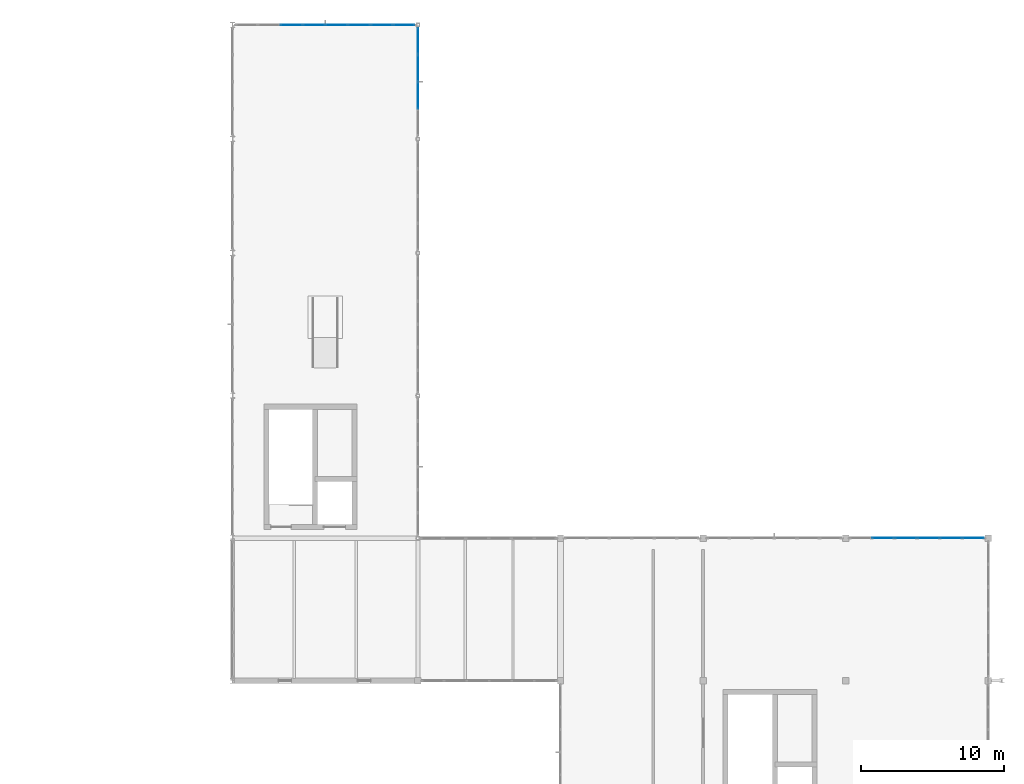
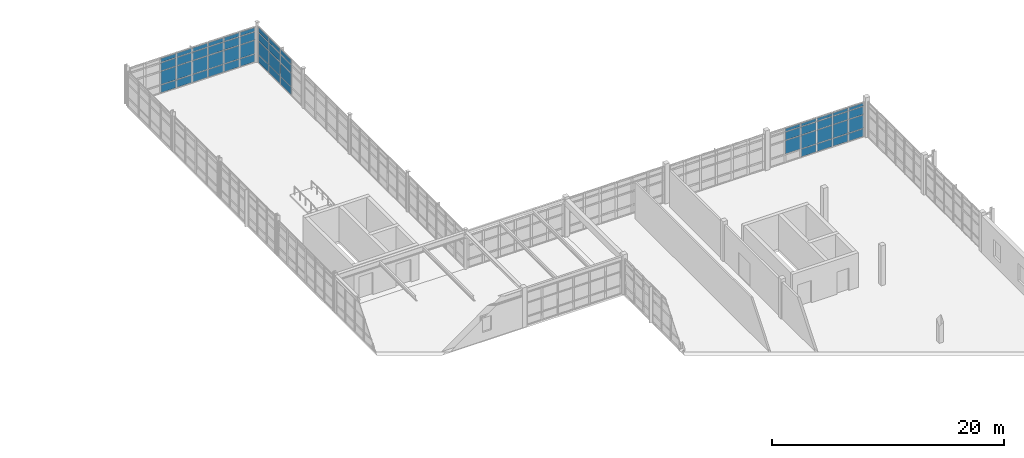
# One storey, part 95 of 122: 55 plates, 3 elements without a shape of their own.
"""IFC4 building model written with IfcOpenShell, lengths in metres."""

from ifc_helpers import new_model, si_unit, direction, frame, origin, origin_2d, place, context, subcontext, project, spatial, rectangle, extrude, material, layer, layer_set, type_object, element, aggregate, save


model = new_model("IFC4")

# Units and contexts
model_context = context("Model", 3, precision=1e-05, world=origin(), true_north=direction((0.0, 1.0)))
body_context = subcontext(model_context, "Body", "Model", "MODEL_VIEW")
ifc_project = project(units=[si_unit("LENGTHUNIT", "METRE"), si_unit("AREAUNIT", "SQUARE_METRE"), si_unit("VOLUMEUNIT", "CUBIC_METRE"), si_unit("PLANEANGLEUNIT", "RADIAN"), si_unit("MASSUNIT", "GRAM", prefix="KILO"), si_unit("THERMODYNAMICTEMPERATUREUNIT", "KELVIN"), si_unit("POWERUNIT", "WATT")], contexts=[model_context])

# Site, building, storey
site_placement = place(None, origin())
site = spatial("IfcSite", under=ifc_project, at=site_placement, CompositionType="ELEMENT")
building_placement = place(site_placement, origin())
building = spatial("IfcBuilding", under=site, at=building_placement, Name="Korenveer Ferry Terminal", CompositionType="ELEMENT")
storey_placement = place(building_placement, frame((0.0, 0.0, 10.199951171875)))
storey = spatial("IfcBuildingStorey", under=building, at=storey_placement, Name="L02", CompositionType="ELEMENT", Elevation=10.199951171875)

# Curtain wall, plates
ifc_material_1 = material(Name="Unitised bronze-and-glass curtain wall", Category="glass")
ifc_layer_1 = layer(ifc_material_1, 0.219970703125)
ifc_layer_set_1 = layer_set([ifc_layer_1], Name="Unitised bronze-and-glass curtain wall")
curtain_wall_type_1 = type_object("IfcCurtainWallType", Name="ENV-CW-101", PredefinedType="USERDEFINED", material=ifc_layer_set_1)
curtain_wall_1_placement = place(storey_placement, frame((166.2548828125, 80.0, 0.0)))
curtain_wall_1 = element("IfcCurtainWall", 1, at=curtain_wall_1_placement, inside=storey, type_object=curtain_wall_type_1, Name="Lancet curtain wall CWX-L02-X166-176-Y80-80", ObjectType="UNITISED CURTAIN WALL", PredefinedType="USERDEFINED")
ifc_material_2 = material(Name="Acoustic laminated marine glazing", Category="glass")
ifc_layer_2 = layer(ifc_material_2, 0.035888671875)
ifc_layer_set_2 = layer_set([ifc_layer_2], Name="Acoustic laminated marine glazing")
plate_type = type_object("IfcPlateType", Name="ENV-CWP-GLZ36", PredefinedType="CURTAIN_PANEL", material=ifc_layer_set_2)
plate_1_placement = place(storey_placement, frame((168.62744140625, 80.0, 0.9375), z_axis=(0.0, 0.0, 1.0), x_axis=(1.0, 0.0, 0.0)))
plate_1 = element("IfcPlate", 2, at=plate_1_placement, type_object=plate_type, Name="CW-101 panel 2.2", PredefinedType="CURTAIN_PANEL", context=body_context, shape_type="SweptSolid", body=[
    extrude(rectangle(XDim=1.506591796875, YDim=0.035888671875, at=origin_2d()), origin(), (0.0, 0.0, 1.0), 1.375),
])
plate_2_placement = place(storey_placement, frame((168.62744140625, 80.0, 2.3876953125), z_axis=(0.0, 0.0, 1.0), x_axis=(1.0, 0.0, 0.0)))
plate_2 = element("IfcPlate", 3, at=plate_2_placement, type_object=plate_type, Name="CW-101 panel 2.3", PredefinedType="CURTAIN_PANEL", context=body_context, shape_type="SweptSolid", body=[
    extrude(rectangle(XDim=1.506591796875, YDim=0.035888671875, at=origin_2d()), origin(), (0.0, 0.0, 1.0), 0.824951171875),
])
plate_3_placement = place(storey_placement, frame((168.62744140625, 80.0, 3.28759765625), z_axis=(0.0, 0.0, 1.0), x_axis=(1.0, 0.0, 0.0)))
plate_3 = element("IfcPlate", 4, at=plate_3_placement, type_object=plate_type, Name="CW-101 panel 2.4", PredefinedType="CURTAIN_PANEL", context=body_context, shape_type="SweptSolid", body=[
    extrude(rectangle(XDim=1.506591796875, YDim=0.035888671875, at=origin_2d()), origin(), (0.0, 0.0, 1.0), 0.297607421875),
])
plate_4_placement = place(storey_placement, frame((170.209228515625, 80.0, 0.074951171875), z_axis=(0.0, 0.0, 1.0), x_axis=(1.0, 0.0, 0.0)))
plate_4 = element("IfcPlate", 5, at=plate_4_placement, type_object=plate_type, Name="CW-101 panel 3.1", PredefinedType="CURTAIN_PANEL", context=body_context, shape_type="SweptSolid", body=[
    extrude(rectangle(XDim=1.506591796875, YDim=0.035888671875, at=origin_2d()), origin(), (0.0, 0.0, 1.0), 0.78759765625),
])
plate_5_placement = place(storey_placement, frame((170.209228515625, 80.0, 0.9375), z_axis=(0.0, 0.0, 1.0), x_axis=(1.0, 0.0, 0.0)))
plate_5 = element("IfcPlate", 6, at=plate_5_placement, type_object=plate_type, Name="CW-101 panel 3.2", PredefinedType="CURTAIN_PANEL", context=body_context, shape_type="SweptSolid", body=[
    extrude(rectangle(XDim=1.506591796875, YDim=0.035888671875, at=origin_2d()), origin(), (0.0, 0.0, 1.0), 1.375),
])
plate_6_placement = place(storey_placement, frame((170.209228515625, 80.0, 2.3876953125), z_axis=(0.0, 0.0, 1.0), x_axis=(1.0, 0.0, 0.0)))
plate_6 = element("IfcPlate", 7, at=plate_6_placement, type_object=plate_type, Name="CW-101 panel 3.3", PredefinedType="CURTAIN_PANEL", context=body_context, shape_type="SweptSolid", body=[
    extrude(rectangle(XDim=1.506591796875, YDim=0.035888671875, at=origin_2d()), origin(), (0.0, 0.0, 1.0), 0.824951171875),
])
plate_7_placement = place(storey_placement, frame((170.209228515625, 80.0, 3.28759765625), z_axis=(0.0, 0.0, 1.0), x_axis=(1.0, 0.0, 0.0)))
plate_7 = element("IfcPlate", 8, at=plate_7_placement, type_object=plate_type, Name="CW-101 panel 3.4", PredefinedType="CURTAIN_PANEL", context=body_context, shape_type="SweptSolid", body=[
    extrude(rectangle(XDim=1.506591796875, YDim=0.035888671875, at=origin_2d()), origin(), (0.0, 0.0, 1.0), 0.297607421875),
])
plate_8_placement = place(storey_placement, frame((171.790771484375, 80.0, 0.074951171875), z_axis=(0.0, 0.0, 1.0), x_axis=(1.0, 0.0, 0.0)))
plate_8 = element("IfcPlate", 9, at=plate_8_placement, type_object=plate_type, Name="CW-101 panel 4.1", PredefinedType="CURTAIN_PANEL", context=body_context, shape_type="SweptSolid", body=[
    extrude(rectangle(XDim=1.506591796875, YDim=0.035888671875, at=origin_2d()), origin(), (0.0, 0.0, 1.0), 0.78759765625),
])
plate_9_placement = place(storey_placement, frame((171.790771484375, 80.0, 0.9375), z_axis=(0.0, 0.0, 1.0), x_axis=(1.0, 0.0, 0.0)))
plate_9 = element("IfcPlate", 10, at=plate_9_placement, type_object=plate_type, Name="CW-101 panel 4.2", PredefinedType="CURTAIN_PANEL", context=body_context, shape_type="SweptSolid", body=[
    extrude(rectangle(XDim=1.506591796875, YDim=0.035888671875, at=origin_2d()), origin(), (0.0, 0.0, 1.0), 1.375),
])
plate_10_placement = place(storey_placement, frame((171.790771484375, 80.0, 2.3876953125), z_axis=(0.0, 0.0, 1.0), x_axis=(1.0, 0.0, 0.0)))
plate_10 = element("IfcPlate", 11, at=plate_10_placement, type_object=plate_type, Name="CW-101 panel 4.3", PredefinedType="CURTAIN_PANEL", context=body_context, shape_type="SweptSolid", body=[
    extrude(rectangle(XDim=1.506591796875, YDim=0.035888671875, at=origin_2d()), origin(), (0.0, 0.0, 1.0), 0.824951171875),
])
plate_11_placement = place(storey_placement, frame((171.790771484375, 80.0, 3.28759765625), z_axis=(0.0, 0.0, 1.0), x_axis=(1.0, 0.0, 0.0)))
plate_11 = element("IfcPlate", 12, at=plate_11_placement, type_object=plate_type, Name="CW-101 panel 4.4", PredefinedType="CURTAIN_PANEL", context=body_context, shape_type="SweptSolid", body=[
    extrude(rectangle(XDim=1.506591796875, YDim=0.035888671875, at=origin_2d()), origin(), (0.0, 0.0, 1.0), 0.297607421875),
])
plate_12_placement = place(storey_placement, frame((173.37255859375, 80.0, 0.074951171875), z_axis=(0.0, 0.0, 1.0), x_axis=(1.0, 0.0, 0.0)))
plate_12 = element("IfcPlate", 13, at=plate_12_placement, type_object=plate_type, Name="CW-101 panel 5.1", PredefinedType="CURTAIN_PANEL", context=body_context, shape_type="SweptSolid", body=[
    extrude(rectangle(XDim=1.506591796875, YDim=0.035888671875, at=origin_2d()), origin(), (0.0, 0.0, 1.0), 0.78759765625),
])
plate_13_placement = place(storey_placement, frame((173.37255859375, 80.0, 0.9375), z_axis=(0.0, 0.0, 1.0), x_axis=(1.0, 0.0, 0.0)))
plate_13 = element("IfcPlate", 14, at=plate_13_placement, type_object=plate_type, Name="CW-101 panel 5.2", PredefinedType="CURTAIN_PANEL", context=body_context, shape_type="SweptSolid", body=[
    extrude(rectangle(XDim=1.506591796875, YDim=0.035888671875, at=origin_2d()), origin(), (0.0, 0.0, 1.0), 1.375),
])
plate_14_placement = place(storey_placement, frame((173.37255859375, 80.0, 2.3876953125), z_axis=(0.0, 0.0, 1.0), x_axis=(1.0, 0.0, 0.0)))
plate_14 = element("IfcPlate", 15, at=plate_14_placement, type_object=plate_type, Name="CW-101 panel 5.3", PredefinedType="CURTAIN_PANEL", context=body_context, shape_type="SweptSolid", body=[
    extrude(rectangle(XDim=1.506591796875, YDim=0.035888671875, at=origin_2d()), origin(), (0.0, 0.0, 1.0), 0.824951171875),
])
plate_15_placement = place(storey_placement, frame((173.37255859375, 80.0, 3.28759765625), z_axis=(0.0, 0.0, 1.0), x_axis=(1.0, 0.0, 0.0)))
plate_15 = element("IfcPlate", 16, at=plate_15_placement, type_object=plate_type, Name="CW-101 panel 5.4", PredefinedType="CURTAIN_PANEL", context=body_context, shape_type="SweptSolid", body=[
    extrude(rectangle(XDim=1.506591796875, YDim=0.035888671875, at=origin_2d()), origin(), (0.0, 0.0, 1.0), 0.297607421875),
])
plate_16_placement = place(storey_placement, frame((174.935302734375, 80.0, 0.074951171875), z_axis=(0.0, 0.0, 1.0), x_axis=(1.0, 0.0, 0.0)))
plate_16 = element("IfcPlate", 17, at=plate_16_placement, type_object=plate_type, Name="CW-101 panel 6.1", PredefinedType="CURTAIN_PANEL", context=body_context, shape_type="SweptSolid", body=[
    extrude(rectangle(XDim=1.46923828125, YDim=0.035888671875, at=origin_2d()), origin(), (0.0, 0.0, 1.0), 0.78759765625),
])
plate_17_placement = place(storey_placement, frame((174.935302734375, 80.0, 0.9375), z_axis=(0.0, 0.0, 1.0), x_axis=(1.0, 0.0, 0.0)))
plate_17 = element("IfcPlate", 18, at=plate_17_placement, type_object=plate_type, Name="CW-101 panel 6.2", PredefinedType="CURTAIN_PANEL", context=body_context, shape_type="SweptSolid", body=[
    extrude(rectangle(XDim=1.46923828125, YDim=0.035888671875, at=origin_2d()), origin(), (0.0, 0.0, 1.0), 1.375),
])
plate_18_placement = place(storey_placement, frame((174.935302734375, 80.0, 2.3876953125), z_axis=(0.0, 0.0, 1.0), x_axis=(1.0, 0.0, 0.0)))
plate_18 = element("IfcPlate", 19, at=plate_18_placement, type_object=plate_type, Name="CW-101 panel 6.3", PredefinedType="CURTAIN_PANEL", context=body_context, shape_type="SweptSolid", body=[
    extrude(rectangle(XDim=1.46923828125, YDim=0.035888671875, at=origin_2d()), origin(), (0.0, 0.0, 1.0), 0.824951171875),
])
plate_19_placement = place(storey_placement, frame((174.935302734375, 80.0, 3.28759765625), z_axis=(0.0, 0.0, 1.0), x_axis=(1.0, 0.0, 0.0)))
plate_19 = element("IfcPlate", 20, at=plate_19_placement, type_object=plate_type, Name="CW-101 panel 6.4", PredefinedType="CURTAIN_PANEL", context=body_context, shape_type="SweptSolid", body=[
    extrude(rectangle(XDim=1.46923828125, YDim=0.035888671875, at=origin_2d()), origin(), (0.0, 0.0, 1.0), 0.297607421875),
])
aggregate(curtain_wall_1, [plate_1, plate_2, plate_3, plate_4, plate_5, plate_6, plate_7, plate_8, plate_9, plate_10, plate_11, plate_12, plate_13, plate_14, plate_15, plate_16, plate_17, plate_18, plate_19])

ifc_layer_3 = layer(ifc_material_1, 0.219970703125)
ifc_layer_set_3 = layer_set([ifc_layer_3], Name="Unitised bronze-and-glass curtain wall")
curtain_wall_type_2 = type_object("IfcCurtainWallType", Name="ENV-CW-103", PredefinedType="USERDEFINED", material=ifc_layer_set_3)
curtain_wall_2_placement = place(storey_placement, frame((123.179931640625, 116.0, 0.0)))
curtain_wall_2 = element("IfcCurtainWall", 21, at=curtain_wall_2_placement, inside=storey, type_object=curtain_wall_type_2, Name="Lancet curtain wall CWX-L02-X123-136-Y116-116", ObjectType="UNITISED CURTAIN WALL", PredefinedType="USERDEFINED")
plate_20_placement = place(storey_placement, frame((127.13427734375, 116.0, 0.074951171875), z_axis=(0.0, 0.0, 1.0), x_axis=(1.0, 0.0, 0.0)))
plate_20 = element("IfcPlate", 22, at=plate_20_placement, type_object=plate_type, Name="CW-103 panel 3.1", PredefinedType="CURTAIN_PANEL", context=body_context, shape_type="SweptSolid", body=[
    extrude(rectangle(XDim=1.506591796875, YDim=0.035888671875, at=origin_2d()), origin(), (0.0, 0.0, 1.0), 0.78759765625),
])
plate_21_placement = place(storey_placement, frame((127.13427734375, 116.0, 0.9375), z_axis=(0.0, 0.0, 1.0), x_axis=(1.0, 0.0, 0.0)))
plate_21 = element("IfcPlate", 23, at=plate_21_placement, type_object=plate_type, Name="CW-103 panel 3.2", PredefinedType="CURTAIN_PANEL", context=body_context, shape_type="SweptSolid", body=[
    extrude(rectangle(XDim=1.506591796875, YDim=0.035888671875, at=origin_2d()), origin(), (0.0, 0.0, 1.0), 1.375),
])
plate_22_placement = place(storey_placement, frame((127.13427734375, 116.0, 2.3876953125), z_axis=(0.0, 0.0, 1.0), x_axis=(1.0, 0.0, 0.0)))
plate_22 = element("IfcPlate", 24, at=plate_22_placement, type_object=plate_type, Name="CW-103 panel 3.3", PredefinedType="CURTAIN_PANEL", context=body_context, shape_type="SweptSolid", body=[
    extrude(rectangle(XDim=1.506591796875, YDim=0.035888671875, at=origin_2d()), origin(), (0.0, 0.0, 1.0), 0.824951171875),
])
plate_23_placement = place(storey_placement, frame((127.13427734375, 116.0, 3.28759765625), z_axis=(0.0, 0.0, 1.0), x_axis=(1.0, 0.0, 0.0)))
plate_23 = element("IfcPlate", 25, at=plate_23_placement, type_object=plate_type, Name="CW-103 panel 3.4", PredefinedType="CURTAIN_PANEL", context=body_context, shape_type="SweptSolid", body=[
    extrude(rectangle(XDim=1.506591796875, YDim=0.035888671875, at=origin_2d()), origin(), (0.0, 0.0, 1.0), 0.3974609375),
])
plate_24_placement = place(storey_placement, frame((128.7158203125, 116.0, 0.074951171875), z_axis=(0.0, 0.0, 1.0), x_axis=(1.0, 0.0, 0.0)))
plate_24 = element("IfcPlate", 26, at=plate_24_placement, type_object=plate_type, Name="CW-103 panel 4.1", PredefinedType="CURTAIN_PANEL", context=body_context, shape_type="SweptSolid", body=[
    extrude(rectangle(XDim=1.506591796875, YDim=0.035888671875, at=origin_2d()), origin(), (0.0, 0.0, 1.0), 0.78759765625),
])
plate_25_placement = place(storey_placement, frame((128.7158203125, 116.0, 0.9375), z_axis=(0.0, 0.0, 1.0), x_axis=(1.0, 0.0, 0.0)))
plate_25 = element("IfcPlate", 27, at=plate_25_placement, type_object=plate_type, Name="CW-103 panel 4.2", PredefinedType="CURTAIN_PANEL", context=body_context, shape_type="SweptSolid", body=[
    extrude(rectangle(XDim=1.506591796875, YDim=0.035888671875, at=origin_2d()), origin(), (0.0, 0.0, 1.0), 1.375),
])
plate_26_placement = place(storey_placement, frame((128.7158203125, 116.0, 2.3876953125), z_axis=(0.0, 0.0, 1.0), x_axis=(1.0, 0.0, 0.0)))
plate_26 = element("IfcPlate", 28, at=plate_26_placement, type_object=plate_type, Name="CW-103 panel 4.3", PredefinedType="CURTAIN_PANEL", context=body_context, shape_type="SweptSolid", body=[
    extrude(rectangle(XDim=1.506591796875, YDim=0.035888671875, at=origin_2d()), origin(), (0.0, 0.0, 1.0), 0.824951171875),
])
plate_27_placement = place(storey_placement, frame((128.7158203125, 116.0, 3.28759765625), z_axis=(0.0, 0.0, 1.0), x_axis=(1.0, 0.0, 0.0)))
plate_27 = element("IfcPlate", 29, at=plate_27_placement, type_object=plate_type, Name="CW-103 panel 4.4", PredefinedType="CURTAIN_PANEL", context=body_context, shape_type="SweptSolid", body=[
    extrude(rectangle(XDim=1.506591796875, YDim=0.035888671875, at=origin_2d()), origin(), (0.0, 0.0, 1.0), 0.3974609375),
])
plate_28_placement = place(storey_placement, frame((130.297607421875, 116.0, 0.074951171875), z_axis=(0.0, 0.0, 1.0), x_axis=(1.0, 0.0, 0.0)))
plate_28 = element("IfcPlate", 30, at=plate_28_placement, type_object=plate_type, Name="CW-103 panel 5.1", PredefinedType="CURTAIN_PANEL", context=body_context, shape_type="SweptSolid", body=[
    extrude(rectangle(XDim=1.506591796875, YDim=0.035888671875, at=origin_2d()), origin(), (0.0, 0.0, 1.0), 0.78759765625),
])
plate_29_placement = place(storey_placement, frame((130.297607421875, 116.0, 0.9375), z_axis=(0.0, 0.0, 1.0), x_axis=(1.0, 0.0, 0.0)))
plate_29 = element("IfcPlate", 31, at=plate_29_placement, type_object=plate_type, Name="CW-103 panel 5.2", PredefinedType="CURTAIN_PANEL", context=body_context, shape_type="SweptSolid", body=[
    extrude(rectangle(XDim=1.506591796875, YDim=0.035888671875, at=origin_2d()), origin(), (0.0, 0.0, 1.0), 1.375),
])
plate_30_placement = place(storey_placement, frame((130.297607421875, 116.0, 2.3876953125), z_axis=(0.0, 0.0, 1.0), x_axis=(1.0, 0.0, 0.0)))
plate_30 = element("IfcPlate", 32, at=plate_30_placement, type_object=plate_type, Name="CW-103 panel 5.3", PredefinedType="CURTAIN_PANEL", context=body_context, shape_type="SweptSolid", body=[
    extrude(rectangle(XDim=1.506591796875, YDim=0.035888671875, at=origin_2d()), origin(), (0.0, 0.0, 1.0), 0.824951171875),
])
plate_31_placement = place(storey_placement, frame((130.297607421875, 116.0, 3.28759765625), z_axis=(0.0, 0.0, 1.0), x_axis=(1.0, 0.0, 0.0)))
plate_31 = element("IfcPlate", 33, at=plate_31_placement, type_object=plate_type, Name="CW-103 panel 5.4", PredefinedType="CURTAIN_PANEL", context=body_context, shape_type="SweptSolid", body=[
    extrude(rectangle(XDim=1.506591796875, YDim=0.035888671875, at=origin_2d()), origin(), (0.0, 0.0, 1.0), 0.3974609375),
])
plate_32_placement = place(storey_placement, frame((131.87939453125, 116.0, 0.074951171875), z_axis=(0.0, 0.0, 1.0), x_axis=(1.0, 0.0, 0.0)))
plate_32 = element("IfcPlate", 34, at=plate_32_placement, type_object=plate_type, Name="CW-103 panel 6.1", PredefinedType="CURTAIN_PANEL", context=body_context, shape_type="SweptSolid", body=[
    extrude(rectangle(XDim=1.506591796875, YDim=0.035888671875, at=origin_2d()), origin(), (0.0, 0.0, 1.0), 0.78759765625),
])
plate_33_placement = place(storey_placement, frame((131.87939453125, 116.0, 0.9375), z_axis=(0.0, 0.0, 1.0), x_axis=(1.0, 0.0, 0.0)))
plate_33 = element("IfcPlate", 35, at=plate_33_placement, type_object=plate_type, Name="CW-103 panel 6.2", PredefinedType="CURTAIN_PANEL", context=body_context, shape_type="SweptSolid", body=[
    extrude(rectangle(XDim=1.506591796875, YDim=0.035888671875, at=origin_2d()), origin(), (0.0, 0.0, 1.0), 1.375),
])
plate_34_placement = place(storey_placement, frame((131.87939453125, 116.0, 2.3876953125), z_axis=(0.0, 0.0, 1.0), x_axis=(1.0, 0.0, 0.0)))
plate_34 = element("IfcPlate", 36, at=plate_34_placement, type_object=plate_type, Name="CW-103 panel 6.3", PredefinedType="CURTAIN_PANEL", context=body_context, shape_type="SweptSolid", body=[
    extrude(rectangle(XDim=1.506591796875, YDim=0.035888671875, at=origin_2d()), origin(), (0.0, 0.0, 1.0), 0.824951171875),
])
plate_35_placement = place(storey_placement, frame((131.87939453125, 116.0, 3.28759765625), z_axis=(0.0, 0.0, 1.0), x_axis=(1.0, 0.0, 0.0)))
plate_35 = element("IfcPlate", 37, at=plate_35_placement, type_object=plate_type, Name="CW-103 panel 6.4", PredefinedType="CURTAIN_PANEL", context=body_context, shape_type="SweptSolid", body=[
    extrude(rectangle(XDim=1.506591796875, YDim=0.035888671875, at=origin_2d()), origin(), (0.0, 0.0, 1.0), 0.3974609375),
])
plate_36_placement = place(storey_placement, frame((133.4609375, 116.0, 0.074951171875), z_axis=(0.0, 0.0, 1.0), x_axis=(1.0, 0.0, 0.0)))
plate_36 = element("IfcPlate", 38, at=plate_36_placement, type_object=plate_type, Name="CW-103 panel 7.1", PredefinedType="CURTAIN_PANEL", context=body_context, shape_type="SweptSolid", body=[
    extrude(rectangle(XDim=1.506591796875, YDim=0.035888671875, at=origin_2d()), origin(), (0.0, 0.0, 1.0), 0.78759765625),
])
plate_37_placement = place(storey_placement, frame((133.4609375, 116.0, 0.9375), z_axis=(0.0, 0.0, 1.0), x_axis=(1.0, 0.0, 0.0)))
plate_37 = element("IfcPlate", 39, at=plate_37_placement, type_object=plate_type, Name="CW-103 panel 7.2", PredefinedType="CURTAIN_PANEL", context=body_context, shape_type="SweptSolid", body=[
    extrude(rectangle(XDim=1.506591796875, YDim=0.035888671875, at=origin_2d()), origin(), (0.0, 0.0, 1.0), 1.375),
])
plate_38_placement = place(storey_placement, frame((133.4609375, 116.0, 2.3876953125), z_axis=(0.0, 0.0, 1.0), x_axis=(1.0, 0.0, 0.0)))
plate_38 = element("IfcPlate", 40, at=plate_38_placement, type_object=plate_type, Name="CW-103 panel 7.3", PredefinedType="CURTAIN_PANEL", context=body_context, shape_type="SweptSolid", body=[
    extrude(rectangle(XDim=1.506591796875, YDim=0.035888671875, at=origin_2d()), origin(), (0.0, 0.0, 1.0), 0.824951171875),
])
plate_39_placement = place(storey_placement, frame((133.4609375, 116.0, 3.28759765625), z_axis=(0.0, 0.0, 1.0), x_axis=(1.0, 0.0, 0.0)))
plate_39 = element("IfcPlate", 41, at=plate_39_placement, type_object=plate_type, Name="CW-103 panel 7.4", PredefinedType="CURTAIN_PANEL", context=body_context, shape_type="SweptSolid", body=[
    extrude(rectangle(XDim=1.506591796875, YDim=0.035888671875, at=origin_2d()), origin(), (0.0, 0.0, 1.0), 0.3974609375),
])
plate_40_placement = place(storey_placement, frame((135.02392578125, 116.0, 0.074951171875), z_axis=(0.0, 0.0, 1.0), x_axis=(1.0, 0.0, 0.0)))
plate_40 = element("IfcPlate", 42, at=plate_40_placement, type_object=plate_type, Name="CW-103 panel 8.1", PredefinedType="CURTAIN_PANEL", context=body_context, shape_type="SweptSolid", body=[
    extrude(rectangle(XDim=1.46923828125, YDim=0.035888671875, at=origin_2d()), origin(), (0.0, 0.0, 1.0), 0.78759765625),
])
plate_41_placement = place(storey_placement, frame((135.02392578125, 116.0, 0.9375), z_axis=(0.0, 0.0, 1.0), x_axis=(1.0, 0.0, 0.0)))
plate_41 = element("IfcPlate", 43, at=plate_41_placement, type_object=plate_type, Name="CW-103 panel 8.2", PredefinedType="CURTAIN_PANEL", context=body_context, shape_type="SweptSolid", body=[
    extrude(rectangle(XDim=1.46923828125, YDim=0.035888671875, at=origin_2d()), origin(), (0.0, 0.0, 1.0), 1.375),
])
plate_42_placement = place(storey_placement, frame((135.02392578125, 116.0, 2.3876953125), z_axis=(0.0, 0.0, 1.0), x_axis=(1.0, 0.0, 0.0)))
plate_42 = element("IfcPlate", 44, at=plate_42_placement, type_object=plate_type, Name="CW-103 panel 8.3", PredefinedType="CURTAIN_PANEL", context=body_context, shape_type="SweptSolid", body=[
    extrude(rectangle(XDim=1.46923828125, YDim=0.035888671875, at=origin_2d()), origin(), (0.0, 0.0, 1.0), 0.824951171875),
])
plate_43_placement = place(storey_placement, frame((135.02392578125, 116.0, 3.28759765625), z_axis=(0.0, 0.0, 1.0), x_axis=(1.0, 0.0, 0.0)))
plate_43 = element("IfcPlate", 45, at=plate_43_placement, type_object=plate_type, Name="CW-103 panel 8.4", PredefinedType="CURTAIN_PANEL", context=body_context, shape_type="SweptSolid", body=[
    extrude(rectangle(XDim=1.46923828125, YDim=0.035888671875, at=origin_2d()), origin(), (0.0, 0.0, 1.0), 0.3974609375),
])
aggregate(curtain_wall_2, [plate_20, plate_21, plate_22, plate_23, plate_24, plate_25, plate_26, plate_27, plate_28, plate_29, plate_30, plate_31, plate_32, plate_33, plate_34, plate_35, plate_36, plate_37, plate_38, plate_39, plate_40, plate_41, plate_42, plate_43])

ifc_layer_4 = layer(ifc_material_1, 0.219970703125)
ifc_layer_set_4 = layer_set([ifc_layer_4], Name="Unitised bronze-and-glass curtain wall")
curtain_wall_type_3 = type_object("IfcCurtainWallType", Name="ENV-CW-113", PredefinedType="USERDEFINED", material=ifc_layer_set_4)
curtain_wall_3_placement = place(storey_placement, frame((136.0, 115.83349609375, 0.0)))
curtain_wall_3 = element("IfcCurtainWall", 46, at=curtain_wall_3_placement, inside=storey, type_object=curtain_wall_type_3, Name="Lancet curtain wall CWX-L02-X136-136-Y108-116", ObjectType="UNITISED CURTAIN WALL", PredefinedType="USERDEFINED")
plate_44_placement = place(storey_placement, frame((136.0, 114.8564453125, 0.074951171875), z_axis=(0.0, 0.0, 1.0), x_axis=(0.0, -1.0, 0.0)))
plate_44 = element("IfcPlate", 47, at=plate_44_placement, type_object=plate_type, Name="CW-113 panel 1.1", PredefinedType="CURTAIN_PANEL", context=body_context, shape_type="SweptSolid", body=[
    extrude(rectangle(XDim=1.80419921875, YDim=0.035888671875, at=origin_2d()), origin(), (0.0, 0.0, 1.0), 0.78759765625),
])
plate_45_placement = place(storey_placement, frame((136.0, 114.8564453125, 0.9375), z_axis=(0.0, 0.0, 1.0), x_axis=(0.0, -1.0, 0.0)))
plate_45 = element("IfcPlate", 48, at=plate_45_placement, type_object=plate_type, Name="CW-113 panel 1.2", PredefinedType="CURTAIN_PANEL", context=body_context, shape_type="SweptSolid", body=[
    extrude(rectangle(XDim=1.80419921875, YDim=0.035888671875, at=origin_2d()), origin(), (0.0, 0.0, 1.0), 1.375),
])
plate_46_placement = place(storey_placement, frame((136.0, 114.8564453125, 2.3876953125), z_axis=(0.0, 0.0, 1.0), x_axis=(0.0, -1.0, 0.0)))
plate_46 = element("IfcPlate", 49, at=plate_46_placement, type_object=plate_type, Name="CW-113 panel 1.3", PredefinedType="CURTAIN_PANEL", context=body_context, shape_type="SweptSolid", body=[
    extrude(rectangle(XDim=1.80419921875, YDim=0.035888671875, at=origin_2d()), origin(), (0.0, 0.0, 1.0), 0.824951171875),
])
plate_47_placement = place(storey_placement, frame((136.0, 114.8564453125, 3.28759765625), z_axis=(0.0, 0.0, 1.0), x_axis=(0.0, -1.0, 0.0)))
plate_47 = element("IfcPlate", 50, at=plate_47_placement, type_object=plate_type, Name="CW-113 panel 1.4", PredefinedType="CURTAIN_PANEL", context=body_context, shape_type="SweptSolid", body=[
    extrude(rectangle(XDim=1.80419921875, YDim=0.035888671875, at=origin_2d()), origin(), (0.0, 0.0, 1.0), 0.49755859375),
])
plate_48_placement = place(storey_placement, frame((136.0, 112.95849609375, 0.074951171875), z_axis=(0.0, 0.0, 1.0), x_axis=(0.0, -1.0, 0.0)))
plate_48 = element("IfcPlate", 51, at=plate_48_placement, type_object=plate_type, Name="CW-113 panel 2.1", PredefinedType="CURTAIN_PANEL", context=body_context, shape_type="SweptSolid", body=[
    extrude(rectangle(XDim=1.841796875, YDim=0.035888671875, at=origin_2d()), origin(), (0.0, 0.0, 1.0), 0.78759765625),
])
plate_49_placement = place(storey_placement, frame((136.0, 112.95849609375, 0.9375), z_axis=(0.0, 0.0, 1.0), x_axis=(0.0, -1.0, 0.0)))
plate_49 = element("IfcPlate", 52, at=plate_49_placement, type_object=plate_type, Name="CW-113 panel 2.2", PredefinedType="CURTAIN_PANEL", context=body_context, shape_type="SweptSolid", body=[
    extrude(rectangle(XDim=1.841796875, YDim=0.035888671875, at=origin_2d()), origin(), (0.0, 0.0, 1.0), 1.375),
])
plate_50_placement = place(storey_placement, frame((136.0, 112.95849609375, 2.3876953125), z_axis=(0.0, 0.0, 1.0), x_axis=(0.0, -1.0, 0.0)))
plate_50 = element("IfcPlate", 53, at=plate_50_placement, type_object=plate_type, Name="CW-113 panel 2.3", PredefinedType="CURTAIN_PANEL", context=body_context, shape_type="SweptSolid", body=[
    extrude(rectangle(XDim=1.841796875, YDim=0.035888671875, at=origin_2d()), origin(), (0.0, 0.0, 1.0), 0.824951171875),
])
plate_51_placement = place(storey_placement, frame((136.0, 112.95849609375, 3.28759765625), z_axis=(0.0, 0.0, 1.0), x_axis=(0.0, -1.0, 0.0)))
plate_51 = element("IfcPlate", 54, at=plate_51_placement, type_object=plate_type, Name="CW-113 panel 2.4", PredefinedType="CURTAIN_PANEL", context=body_context, shape_type="SweptSolid", body=[
    extrude(rectangle(XDim=1.841796875, YDim=0.035888671875, at=origin_2d()), origin(), (0.0, 0.0, 1.0), 0.49755859375),
])
plate_52_placement = place(storey_placement, frame((136.0, 111.04150390625, 0.074951171875), z_axis=(0.0, 0.0, 1.0), x_axis=(0.0, -1.0, 0.0)))
plate_52 = element("IfcPlate", 55, at=plate_52_placement, type_object=plate_type, Name="CW-113 panel 3.1", PredefinedType="CURTAIN_PANEL", context=body_context, shape_type="SweptSolid", body=[
    extrude(rectangle(XDim=1.841796875, YDim=0.035888671875, at=origin_2d()), origin(), (0.0, 0.0, 1.0), 0.78759765625),
])
plate_53_placement = place(storey_placement, frame((136.0, 111.04150390625, 0.9375), z_axis=(0.0, 0.0, 1.0), x_axis=(0.0, -1.0, 0.0)))
plate_53 = element("IfcPlate", 56, at=plate_53_placement, type_object=plate_type, Name="CW-113 panel 3.2", PredefinedType="CURTAIN_PANEL", context=body_context, shape_type="SweptSolid", body=[
    extrude(rectangle(XDim=1.841796875, YDim=0.035888671875, at=origin_2d()), origin(), (0.0, 0.0, 1.0), 1.375),
])
plate_54_placement = place(storey_placement, frame((136.0, 111.04150390625, 2.3876953125), z_axis=(0.0, 0.0, 1.0), x_axis=(0.0, -1.0, 0.0)))
plate_54 = element("IfcPlate", 57, at=plate_54_placement, type_object=plate_type, Name="CW-113 panel 3.3", PredefinedType="CURTAIN_PANEL", context=body_context, shape_type="SweptSolid", body=[
    extrude(rectangle(XDim=1.841796875, YDim=0.035888671875, at=origin_2d()), origin(), (0.0, 0.0, 1.0), 0.824951171875),
])
plate_55_placement = place(storey_placement, frame((136.0, 111.04150390625, 3.28759765625), z_axis=(0.0, 0.0, 1.0), x_axis=(0.0, -1.0, 0.0)))
plate_55 = element("IfcPlate", 58, at=plate_55_placement, type_object=plate_type, Name="CW-113 panel 3.4", PredefinedType="CURTAIN_PANEL", context=body_context, shape_type="SweptSolid", body=[
    extrude(rectangle(XDim=1.841796875, YDim=0.035888671875, at=origin_2d()), origin(), (0.0, 0.0, 1.0), 0.49755859375),
])
aggregate(curtain_wall_3, [plate_44, plate_45, plate_46, plate_47, plate_48, plate_49, plate_50, plate_51, plate_52, plate_53, plate_54, plate_55])

save(model, "model.ifc")
